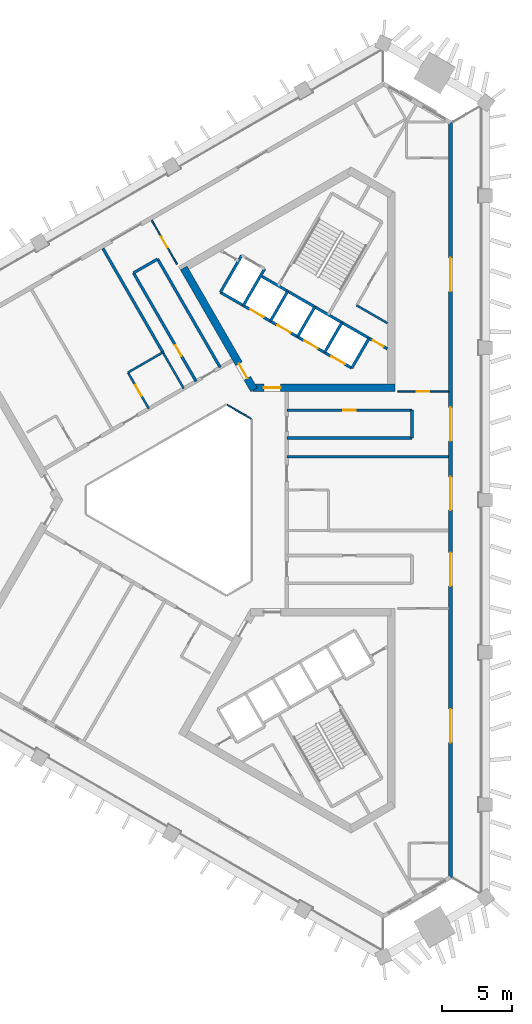
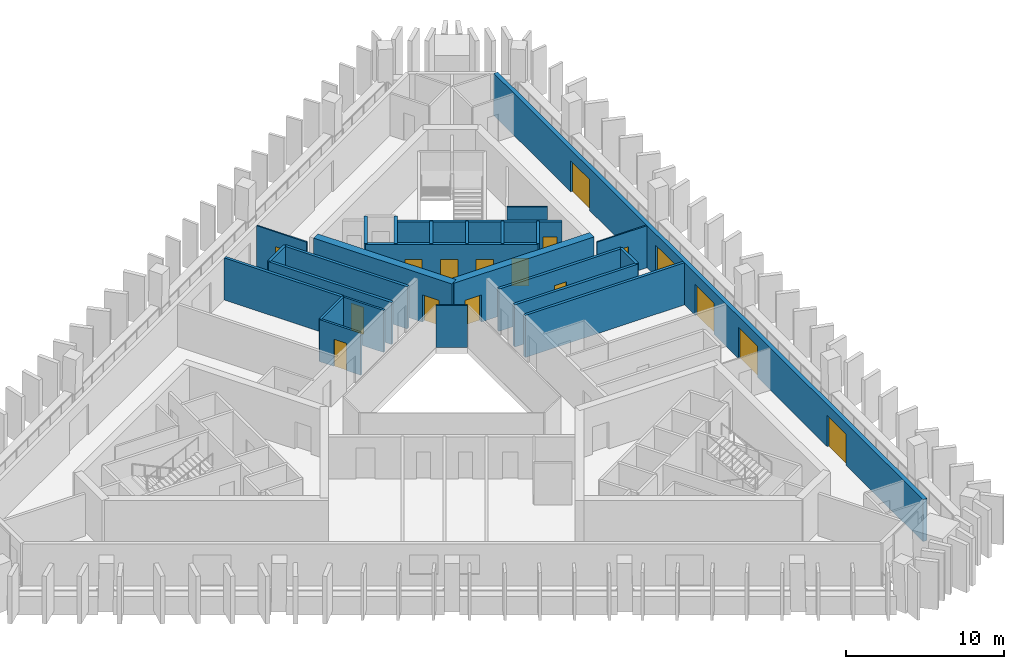
# One storey, part 5 of 10: 26 walls, 17 doors, 17 openings.
"""IFC4 building model written with IfcOpenShell, lengths in metres."""

import ifcopenshell
import ifcopenshell.guid

model = None  # the IFC model being written
_history = None  # IfcOwnerHistory: only IFC2X3 demands one
_inside = {}  # id of a spatial element -> (the spatial element, [elements in it])
_under = {}  # id of a project, library or spatial element -> (it, [spatial elements below it])
_declared = {}  # id of a project -> (the project, [libraries it declares])
_typed = {}  # id of a type object -> (the type object, [elements of that type])
_made_of = {}  # id of a material, layer set ... -> (it, [elements and type objects made of it])


def new_model(schema):
    """Start an empty IFC model of exactly this schema.

    Asked for "IFC4X3", IfcOpenShell would pick the latest addendum, in which some entities
    have other attributes; the version numbers below select the first issue.
    IFC2X3 requires an IfcOwnerHistory on every rooted entity: one is made here for all.
    """
    global model, _history
    if schema == "IFC4X3":
        model = ifcopenshell.file(schema_version=(4, 3, 0, 0))
    else:
        model = ifcopenshell.file(schema=schema)
    _inside.clear()
    _under.clear()
    _declared.clear()
    _typed.clear()
    _made_of.clear()
    _history = None
    if model.schema == "IFC2X3":
        org = make("IfcOrganization", Name="unknown")
        user = make(
            "IfcPersonAndOrganization",
            ThePerson=make("IfcPerson", FamilyName="unknown"),
            TheOrganization=org,
        )
        app = make(
            "IfcApplication",
            ApplicationDeveloper=org,
            Version="unknown",
            ApplicationFullName="unknown",
            ApplicationIdentifier="unknown",
        )
        _history = make(
            "IfcOwnerHistory",
            OwningUser=user,
            OwningApplication=app,
            ChangeAction="ADDED",
            CreationDate=0,
        )
    return model


def make(cls, **values):
    """One entity of the class cls with the attributes given. An attribute that is None is left unset."""
    return model.create_entity(
        cls, **{name: value for name, value in values.items() if value is not None}
    )


def rooted(cls, **values):
    """An entity with a GlobalId (a new one), such as an element, a storey or a relation."""
    return make(cls, GlobalId=ifcopenshell.guid.new(), OwnerHistory=_history, **values)


def si_unit(unit_type, name, prefix=None):
    """IfcSIUnit, for example si_unit("LENGTHUNIT", "METRE", prefix="MILLI")."""
    return make("IfcSIUnit", UnitType=unit_type, Prefix=prefix, Name=name)


def assignment(units):
    """IfcUnitAssignment: the units of a project."""
    return None if units is None else make("IfcUnitAssignment", Units=units)


def point(xyz):
    """IfcCartesianPoint."""
    return None if xyz is None else make("IfcCartesianPoint", Coordinates=xyz)


def direction(xyz):
    """IfcDirection."""
    return None if xyz is None else make("IfcDirection", DirectionRatios=xyz)


def frame(location, z_axis=None, x_axis=None):
    """IfcAxis2Placement3D, a coordinate frame: its origin and axes. An axis left out is left unset."""
    return make(
        "IfcAxis2Placement3D",
        Location=point(location),
        Axis=direction(z_axis),
        RefDirection=direction(x_axis),
    )


def frame_2d(location, x_axis=None):
    """IfcAxis2Placement2D, a coordinate frame in the plane: its origin and x axis."""
    return make(
        "IfcAxis2Placement2D", Location=point(location), RefDirection=direction(x_axis)
    )


def origin():
    """The frame at (0, 0, 0) with its axes left unset."""
    return frame((0.0, 0.0, 0.0))


def place(relative_to, where):
    """IfcLocalPlacement: puts the frame where relative to a parent placement (None: the world)."""
    return make(
        "IfcLocalPlacement", PlacementRelTo=relative_to, RelativePlacement=where
    )


def context(
    kind, dimensions, precision=None, world=None, true_north=None, identifier=None
):
    """IfcGeometricRepresentationContext, for example the 3D "Model" context."""
    return make(
        "IfcGeometricRepresentationContext",
        ContextIdentifier=identifier,
        ContextType=kind,
        CoordinateSpaceDimension=dimensions,
        Precision=precision,
        WorldCoordinateSystem=world,
        TrueNorth=true_north,
    )


def subcontext(parent, identifier, kind, view, scale=None):
    """IfcGeometricRepresentationSubContext, for example "Body" below "Model"."""
    return make(
        "IfcGeometricRepresentationSubContext",
        ContextIdentifier=identifier,
        ContextType=kind,
        ParentContext=parent,
        TargetScale=scale,
        TargetView=view,
    )


def project(units=None, contexts=None):
    """IfcProject with its units and contexts."""
    return rooted(
        "IfcProject",
        Name="project",
        RepresentationContexts=contexts,
        UnitsInContext=assignment(units),
    )


def spatial(cls, under=None, at=None, **own):
    """A site, building, storey or space (cls), placed at a placement, below another one or the project."""
    s = rooted(cls, ObjectPlacement=at, **own)
    if under is not None:
        _under.setdefault(under.id(), (under, []))[1].append(s)
    return s


def profile(cls, at=None, kind="AREA", **sizes):
    """A parametric profile (cls). Its sizes go by their IFC names, for example OverallWidth=200.0."""
    return make(cls, ProfileType=kind, Position=at, **sizes)


def rectangle(**sizes):
    """IfcRectangleProfileDef."""
    return profile("IfcRectangleProfileDef", **sizes)


def extrude(swept, where, along, depth):
    """IfcExtrudedAreaSolid: the profile swept, set in the frame where, extruded along a direction by depth."""
    return make(
        "IfcExtrudedAreaSolid",
        SweptArea=swept,
        Position=where,
        ExtrudedDirection=direction(along),
        Depth=depth,
    )


def shape(context_of_items, identifier, shape_type, items):
    """IfcShapeRepresentation: the items that make up one representation, for example the "Body"."""
    return make(
        "IfcShapeRepresentation",
        ContextOfItems=context_of_items,
        RepresentationIdentifier=identifier,
        RepresentationType=shape_type,
        Items=items,
    )


def material(Name=None, Category=None):
    """IfcMaterial."""
    return make("IfcMaterial", Name=Name, Category=Category)


def layer(
    of_material, thickness, ventilated=None, Name=None, Category=None, Priority=None
):
    """IfcMaterialLayer: one layer of a wall or slab, of a material (None: an air gap)."""
    return make(
        "IfcMaterialLayer",
        Material=of_material,
        LayerThickness=thickness,
        IsVentilated=ventilated,
        Name=Name,
        Category=Category,
        Priority=Priority,
    )


def layer_set(layers, Name=None):
    """IfcMaterialLayerSet."""
    return make("IfcMaterialLayerSet", MaterialLayers=layers, LayerSetName=Name)


def made_of(thing, what):
    """Note that an element or type object is made of a material, layer set ...; save() writes the relation."""
    if what is not None:
        _made_of.setdefault(what.id(), (what, []))[1].append(thing)
    return thing


def type_object(cls, material=None, **own):
    """A type object (cls), such as IfcWallType, which elements share."""
    return made_of(rooted(cls, **own), material)


def element(
    cls,
    number,
    at=None,
    inside=None,
    cuts=None,
    type_object=None,
    material=None,
    context=None,
    identifier="Body",
    shape_type=None,
    held_by="IfcProductDefinitionShape",
    body=None,
    shapes=None,
    **own,
):
    """One element of the class cls, such as IfcWall. Its Tag is "e" and its number.

    at: its placement. inside: the storey or other place that contains it. cuts: it is an
    opening in that element (IfcRelVoidsElement). A single representation is given by context,
    identifier, shape_type and body (its items); several are given by shapes. held_by: the class
    of the entity that holds the representations. save() writes the other relations.
    """
    e = rooted(cls, Tag="e%d" % number, ObjectPlacement=at, **own)
    if body is not None:
        shapes = [shape(context, identifier, shape_type, body)]
    if shapes is not None:
        e.Representation = make(held_by, Representations=shapes)
    if inside is not None:
        _inside.setdefault(inside.id(), (inside, []))[1].append(e)
    if cuts is not None:
        rooted(
            "IfcRelVoidsElement", RelatingBuildingElement=cuts, RelatedOpeningElement=e
        )
    if type_object is not None:
        _typed.setdefault(type_object.id(), (type_object, []))[1].append(e)
    return made_of(e, material)


def fill(opening, filler):
    """IfcRelFillsElement: the door or window that sits in an opening."""
    return rooted(
        "IfcRelFillsElement",
        RelatingOpeningElement=opening,
        RelatedBuildingElement=filler,
    )


def aggregate(whole, parts):
    """IfcRelAggregates: a whole, such as a stair, and the parts it consists of."""
    return rooted("IfcRelAggregates", RelatingObject=whole, RelatedObjects=parts)


def save(model, path):
    """Write the relations noted so far, then the file.

    IfcRelAggregates (storeys below a building ...), IfcRelContainedInSpatialStructure (elements
    in a storey), IfcRelDefinesByType, IfcRelAssociatesMaterial and IfcRelDeclares: one each for
    every whole, place, type object, material and project.
    """
    for whole, parts in _under.values():
        aggregate(whole, parts)
    for where, things in _inside.values():
        rooted(
            "IfcRelContainedInSpatialStructure",
            RelatedElements=things,
            RelatingStructure=where,
        )
    for kind, things in _typed.values():
        rooted("IfcRelDefinesByType", RelatedObjects=things, RelatingType=kind)
    for what, things in _made_of.values():
        rooted("IfcRelAssociatesMaterial", RelatedObjects=things, RelatingMaterial=what)
    for by, libraries in _declared.values():
        rooted("IfcRelDeclares", RelatingContext=by, RelatedDefinitions=libraries)
    model.write(path)


model = new_model("IFC4")

# Units and contexts
model_context = context("Model", 3, precision=1e-05, world=origin(), true_north=direction((0.0, 1.0)))
body_context = subcontext(model_context, "Body", "Model", "MODEL_VIEW")
ifc_project = project(units=[si_unit("LENGTHUNIT", "METRE"), si_unit("AREAUNIT", "SQUARE_METRE"), si_unit("VOLUMEUNIT", "CUBIC_METRE"), si_unit("PLANEANGLEUNIT", "RADIAN"), si_unit("MASSUNIT", "GRAM", prefix="KILO")], contexts=[model_context])

# Site, building, storey
site_placement = place(None, origin())
site = spatial("IfcSite", under=ifc_project, at=site_placement, CompositionType="ELEMENT")
building_placement = place(site_placement, origin())
building = spatial("IfcBuilding", under=site, at=building_placement, Name="Jabali Bay Hotel Tower and Convention Centre", CompositionType="ELEMENT")
storey_placement = place(building_placement, frame((0.0, 0.0, 160.0)))
storey = spatial("IfcBuildingStorey", under=building, at=storey_placement, Name="L38", CompositionType="ELEMENT", Elevation=160.0)

# Walls
ifc_material_1 = material(Name="Fire-resistant glazing", Category="glass")
ifc_layer_1 = layer(ifc_material_1, 0.10009765625)
ifc_layer_set_1 = layer_set([ifc_layer_1], Name="Fire-resistant glazing")
wall_type_1 = type_object("IfcWallType", Name="Atrium glazed screen 100", PredefinedType="PARTITIONING", material=ifc_layer_set_1)
wall_1_placement = place(storey_placement, frame((79.530029296875, 85.84619140625, 0.0), z_axis=(0.0, 0.0, 1.0), x_axis=(-0.866041268327, 0.499972520799, 0.0)))
element("IfcWall", 1, at=wall_1_placement, inside=storey, type_object=wall_type_1, Name="Atrium screen 2 L38", PredefinedType="PARTITIONING", context=body_context, shape_type="SweptSolid", body=[
    extrude(rectangle(XDim=2.0, YDim=0.10009765625, at=frame_2d((1.0, 0.0))), origin(), (0.0, 0.0, 1.0), 3.25),
])
ifc_material_2 = material(Name="Fire-rated board partition")
ifc_layer_2 = layer(ifc_material_2, 0.14990234375)
ifc_layer_set_2 = layer_set([ifc_layer_2], Name="Fire-rated board partition")
wall_type_2 = type_object("IfcWallType", Name="Core room partition 150", PredefinedType="PARTITIONING", material=ifc_layer_set_2)
wall_2_placement = place(storey_placement, frame((89.330078125, 92.718994140625, 0.0), z_axis=(0.0, 0.0, 1.0), x_axis=(-0.866019818373, 0.500009674092, 0.0)))
element("IfcWall", 2, at=wall_2_placement, inside=storey, type_object=wall_type_2, Name="Core wall 1.14 L38", PredefinedType="PARTITIONING", context=body_context, shape_type="SweptSolid", body=[
    extrude(rectangle(XDim=2.55078125, YDim=0.14990234375, at=frame_2d((1.275390625, 0.0))), origin(), (0.0, 0.0, 1.0), 3.25),
])
ifc_material_3 = material(Name="Concrete C40", Category="concrete")
ifc_layer_3 = layer(ifc_material_3, 0.199951171875)
ifc_layer_set_3 = layer_set([ifc_layer_3], Name="Concrete C40")
wall_type_3 = type_object("IfcWallType", Name="Core stair wall 200", PredefinedType="SOLIDWALL", material=ifc_layer_set_3)
for number, where, z_axis, x_axis, name in (
    (3, (86.769775390625, 89.48583984375, 0.0), (0.0, 0.0, 1.0), (0.499961042966, 0.86604789447, 0.0), "Core wall 1.0 L38"),
    (4, (84.8212890625, 90.61083984375, 0.0), (0.0, 0.0, 1.0), (0.499961042966, 0.86604789447, 0.0), "Core wall 1.2 L38"),
    (5, (82.872802734375, 91.73583984375, 0.0), (0.0, 0.0, 1.0), (0.499961042966, 0.86604789447, 0.0), "Core wall 1.4 L38"),
    (6, (80.924072265625, 92.86083984375, 0.0), (0.0, 0.0, 1.0), (0.499961042966, 0.86604789447, 0.0), "Core wall 1.6 L38"),
):
    element("IfcWall", number, at=place(storey_placement, frame(where, z_axis=z_axis, x_axis=x_axis)), inside=storey, type_object=wall_type_3, Name=name, PredefinedType="SOLIDWALL", context=body_context, shape_type="SweptSolid", body=[
        extrude(rectangle(XDim=2.480224609375, YDim=0.199951171875, at=frame_2d((1.240234375, 0.0))), origin(), (0.0, 0.0, 1.0), 3.25),
    ])
for number, where, z_axis, x_axis, name in (
    (7, (78.9755859375, 93.98583984375, 0.0), (0.0, 0.0, 1.0), (0.499944174705, 0.866057632134, 0.0), "Core wall 1.8 L38"),
    (8, (77.330078125, 94.93603515625, 0.0), (0.0, 0.0, 1.0), (0.500038867431, 0.8660029625, 0.0), "Core wall 1.9 L38"),
):
    element("IfcWall", number, at=place(storey_placement, frame(where, z_axis=z_axis, x_axis=x_axis)), inside=storey, type_object=wall_type_3, Name=name, PredefinedType="SOLIDWALL", context=body_context, shape_type="SweptSolid", body=[
        extrude(rectangle(XDim=3.050048828125, YDim=0.199951171875, at=frame_2d((1.52490234375, 0.0))), origin(), (0.0, 0.0, 1.0), 3.25),
    ])

# Wall, openings, doors
wall_3_placement = place(storey_placement, frame((86.769775390625, 89.48583984375, 0.0), z_axis=(0.0, 0.0, 1.0), x_axis=(-0.86601811187, 0.500012629753, 0.0)))
wall_3 = element("IfcWall", 9, at=wall_3_placement, inside=storey, type_object=wall_type_3, Name="Core wall 1.10 L38", PredefinedType="SOLIDWALL", context=body_context, shape_type="SweptSolid", body=[
    extrude(rectangle(XDim=10.900146484375, YDim=0.199951171875, at=frame_2d((5.4501953125, 0.0))), origin(), (0.0, 0.0, 1.0), 3.25),
])
opening_1_placement = place(wall_3_placement, frame((0.574951171875, 0.0, 0.0)))
opening_1 = element("IfcOpeningElement", 10, at=opening_1_placement, cuts=wall_3, Name="Opening LD6-L38", PredefinedType="OPENING", context=body_context, shape_type="SweptSolid", body=[
    extrude(rectangle(XDim=1.10009765625, YDim=2.10009765625, at=frame_2d((0.550048828125, 1.050048828125))), frame((0.0, 0.1103515625, 0.0), z_axis=(0.0, -1.0, 0.0), x_axis=(1.0, 0.0, 0.0)), (0.0, 0.0, 1.0), 0.220947265625),
])
opening_2_placement = place(wall_3_placement, frame((2.824951171875, 0.0, 0.0)))
opening_2 = element("IfcOpeningElement", 11, at=opening_2_placement, cuts=wall_3, Name="Opening LD7-L38", PredefinedType="OPENING", context=body_context, shape_type="SweptSolid", body=[
    extrude(rectangle(XDim=1.10009765625, YDim=2.10009765625, at=frame_2d((0.550048828125, 1.050048828125))), frame((0.0, 0.1103515625, 0.0), z_axis=(0.0, -1.0, 0.0), x_axis=(1.0, 0.0, 0.0)), (0.0, 0.0, 1.0), 0.220947265625),
])
opening_3_placement = place(wall_3_placement, frame((5.074951171875, 0.0, 0.0)))
opening_3 = element("IfcOpeningElement", 12, at=opening_3_placement, cuts=wall_3, Name="Opening LD8-L38", PredefinedType="OPENING", context=body_context, shape_type="SweptSolid", body=[
    extrude(rectangle(XDim=1.10009765625, YDim=2.10009765625, at=frame_2d((0.550048828125, 1.050048828125))), frame((0.0, 0.1103515625, 0.0), z_axis=(0.0, -1.0, 0.0), x_axis=(1.0, 0.0, 0.0)), (0.0, 0.0, 1.0), 0.220947265625),
])
opening_4_placement = place(wall_3_placement, frame((7.324951171875, 0.0, 0.0)))
opening_4 = element("IfcOpeningElement", 13, at=opening_4_placement, cuts=wall_3, Name="Opening LD9-L38", PredefinedType="OPENING", context=body_context, shape_type="SweptSolid", body=[
    extrude(rectangle(XDim=1.10009765625, YDim=2.10009765625, at=frame_2d((0.550048828125, 1.050048828125))), frame((0.0, 0.1103515625, 0.0), z_axis=(0.0, -1.0, 0.0), x_axis=(1.0, 0.0, 0.0)), (0.0, 0.0, 1.0), 0.220947265625),
])
ifc_material_4 = material(Name="Stainless steel landing door", Category="steel")
door_type_1 = type_object("IfcDoorType", Name="Landing door 1100 x 2100", OperationType="NOTDEFINED", PredefinedType="NOTDEFINED", material=ifc_material_4)
door_1_placement = place(opening_1_placement, origin())
door_1 = element("IfcDoor", 14, at=door_1_placement, inside=storey, type_object=door_type_1, Name="Landing doors LD6-L38", OperationType="SLIDING_TO_RIGHT", OverallHeight=2.10009765625, OverallWidth=1.10009765625, PredefinedType="NOTDEFINED", context=body_context, shape_type="SweptSolid", body=[
    extrude(rectangle(XDim=1.10009765625, YDim=2.10009765625, at=frame_2d((0.550048828125, 1.050048828125))), frame((0.0, 0.02490234375, 0.0), z_axis=(0.0, -1.0, 0.0), x_axis=(1.0, 0.0, 0.0)), (0.0, 0.0, 1.0), 0.050048828125),
])
fill(opening_1, door_1)
door_2_placement = place(opening_2_placement, origin())
door_2 = element("IfcDoor", 15, at=door_2_placement, inside=storey, type_object=door_type_1, Name="Landing doors LD7-L38", OperationType="SLIDING_TO_LEFT", OverallHeight=2.10009765625, OverallWidth=1.10009765625, PredefinedType="NOTDEFINED", context=body_context, shape_type="SweptSolid", body=[
    extrude(rectangle(XDim=1.10009765625, YDim=2.10009765625, at=frame_2d((0.550048828125, 1.050048828125))), frame((0.0, 0.02490234375, 0.0), z_axis=(0.0, -1.0, 0.0), x_axis=(1.0, 0.0, 0.0)), (0.0, 0.0, 1.0), 0.050048828125),
])
fill(opening_2, door_2)
door_3_placement = place(opening_3_placement, origin())
door_3 = element("IfcDoor", 16, at=door_3_placement, inside=storey, type_object=door_type_1, Name="Landing doors LD8-L38", OperationType="SLIDING_TO_RIGHT", OverallHeight=2.10009765625, OverallWidth=1.10009765625, PredefinedType="NOTDEFINED", context=body_context, shape_type="SweptSolid", body=[
    extrude(rectangle(XDim=1.10009765625, YDim=2.10009765625, at=frame_2d((0.550048828125, 1.050048828125))), frame((0.0, 0.02490234375, 0.0), z_axis=(0.0, -1.0, 0.0), x_axis=(1.0, 0.0, 0.0)), (0.0, 0.0, 1.0), 0.050048828125),
])
fill(opening_3, door_3)
door_4_placement = place(opening_4_placement, origin())
door_4 = element("IfcDoor", 17, at=door_4_placement, inside=storey, type_object=door_type_1, Name="Landing doors LD9-L38", OperationType="SLIDING_TO_LEFT", OverallHeight=2.10009765625, OverallWidth=1.10009765625, PredefinedType="NOTDEFINED", context=body_context, shape_type="SweptSolid", body=[
    extrude(rectangle(XDim=1.10009765625, YDim=2.10009765625, at=frame_2d((0.550048828125, 1.050048828125))), frame((0.0, 0.02490234375, 0.0), z_axis=(0.0, -1.0, 0.0), x_axis=(1.0, 0.0, 0.0)), (0.0, 0.0, 1.0), 0.050048828125),
])
fill(opening_4, door_4)

# Wall, opening, door
wall_4_placement = place(storey_placement, frame((89.330078125, 90.87158203125, 0.0), z_axis=(0.0, 0.0, 1.0), x_axis=(-0.866027589512, 0.49999621419, 0.0)))
wall_4 = element("IfcWall", 18, at=wall_4_placement, inside=storey, type_object=wall_type_3, Name="Core wall 1.11 L38", PredefinedType="SOLIDWALL", context=body_context, shape_type="SweptSolid", body=[
    extrude(rectangle(XDim=10.5244140625, YDim=0.199951171875, at=frame_2d((5.26220703125, 0.0))), origin(), (0.0, 0.0, 1.0), 3.25),
])
opening_5_placement = place(wall_4_placement, frame((0.312255859375, 0.0, 0.0)))
opening_5 = element("IfcOpeningElement", 19, at=opening_5_placement, cuts=wall_4, Name="Opening D836", PredefinedType="OPENING", context=body_context, shape_type="SweptSolid", body=[
    extrude(rectangle(XDim=0.89990234375, YDim=2.10009765625, at=frame_2d((0.449951171875, 1.050048828125))), frame((0.0, 0.1103515625, 0.0), z_axis=(0.0, -1.0, 0.0), x_axis=(1.0, 0.0, 0.0)), (0.0, 0.0, 1.0), 0.220947265625),
])
ifc_material_5 = material(Name="Fire-rated steel door", Category="steel")
door_type_2 = type_object("IfcDoorType", Name="Vestibule fire door 900 x 2100", OperationType="NOTDEFINED", PredefinedType="NOTDEFINED", material=ifc_material_5)
door_5_placement = place(opening_5_placement, origin())
door_5 = element("IfcDoor", 20, at=door_5_placement, inside=storey, type_object=door_type_2, Name="Vestibule fire door D836", OperationType="SINGLE_SWING_LEFT", OverallHeight=2.10009765625, OverallWidth=0.89990234375, PredefinedType="NOTDEFINED", context=body_context, shape_type="SweptSolid", body=[
    extrude(rectangle(XDim=0.89990234375, YDim=2.10009765625, at=frame_2d((0.449951171875, 1.050048828125))), frame((0.0, 0.02490234375, 0.0), z_axis=(0.0, -1.0, 0.0), x_axis=(1.0, 0.0, 0.0)), (0.0, 0.0, 1.0), 0.050048828125),
])
fill(opening_5, door_5)

ifc_material_6 = material(Name="Concrete C60", Category="concrete")
ifc_layer_4 = layer(ifc_material_6, 0.550048828125)
ifc_layer_set_4 = layer_set([ifc_layer_4], Name="Concrete C60")
wall_type_4 = type_object("IfcWallType", Name="Core wall 550", PredefinedType="SHEAR", material=ifc_layer_set_4)
wall_5_placement = place(storey_placement, frame((79.65869140625, 88.0693359375, 0.0), z_axis=(0.0, 0.0, 1.0), x_axis=(1.0, 0.0, 0.0)))
wall_5 = element("IfcWall", 21, at=wall_5_placement, inside=storey, type_object=wall_type_4, Name="Core wall 2.1 L38", PredefinedType="SHEAR", context=body_context, shape_type="SweptSolid", body=[
    extrude(rectangle(XDim=10.22119140625, YDim=0.550048828125, at=frame_2d((5.110595703125, 0.0))), origin(), (0.0, 0.0, 1.0), 3.699951171875),
])
opening_6_placement = place(wall_5_placement, frame((0.791259765625, 0.0, 0.0)))
opening_6 = element("IfcOpeningElement", 22, at=opening_6_placement, cuts=wall_5, Name="Opening D833", PredefinedType="OPENING", context=body_context, shape_type="SweptSolid", body=[
    extrude(rectangle(XDim=1.199951171875, YDim=2.10009765625, at=frame_2d((0.60009765625, 1.050048828125))), frame((0.0, 0.28564453125, 0.0), z_axis=(0.0, -1.0, 0.0), x_axis=(1.0, 0.0, 0.0)), (0.0, 0.0, 1.0), 0.571044921875),
])
door_type_3 = type_object("IfcDoorType", Name="Corridor end fire door 1200 x 2100", OperationType="NOTDEFINED", PredefinedType="NOTDEFINED", material=ifc_material_5)
door_6_placement = place(opening_6_placement, origin())
door_6 = element("IfcDoor", 23, at=door_6_placement, inside=storey, type_object=door_type_3, Name="Corridor end fire door D833", OperationType="SINGLE_SWING_RIGHT", OverallHeight=2.10009765625, OverallWidth=1.199951171875, PredefinedType="NOTDEFINED", context=body_context, shape_type="SweptSolid", body=[
    extrude(rectangle(XDim=1.199951171875, YDim=2.10009765625, at=frame_2d((0.60009765625, 1.050048828125))), frame((0.0, 0.02490234375, 0.0), z_axis=(0.0, -1.0, 0.0), x_axis=(1.0, 0.0, 0.0)), (0.0, 0.0, 1.0), 0.050048828125),
])
fill(opening_6, door_6)

wall_6_placement = place(storey_placement, frame((74.685546875, 96.682861328125, 0.0), z_axis=(0.0, 0.0, 1.0), x_axis=(0.499997818338, -0.866026663364, 0.0)))
wall_6 = element("IfcWall", 24, at=wall_6_placement, inside=storey, type_object=wall_type_4, Name="Core wall 2.5 L38", PredefinedType="SHEAR", context=body_context, shape_type="SweptSolid", body=[
    extrude(rectangle(XDim=10.10498046875, YDim=0.550048828125, at=frame_2d((5.052490234375, 0.0))), origin(), (0.0, 0.0, 1.0), 3.699951171875),
])
opening_7_placement = place(wall_6_placement, frame((7.955078125, 0.0, 0.0)))
opening_7 = element("IfcOpeningElement", 25, at=opening_7_placement, cuts=wall_6, Name="Opening D834", PredefinedType="OPENING", context=body_context, shape_type="SweptSolid", body=[
    extrude(rectangle(XDim=1.199951171875, YDim=2.10009765625, at=frame_2d((0.60009765625, 1.050048828125))), frame((0.0, 0.28564453125, 0.0), z_axis=(0.0, -1.0, 0.0), x_axis=(1.0, 0.0, 0.0)), (0.0, 0.0, 1.0), 0.571044921875),
])
door_7_placement = place(opening_7_placement, origin())
door_7 = element("IfcDoor", 26, at=door_7_placement, inside=storey, type_object=door_type_3, Name="Corridor end fire door D834", OperationType="SINGLE_SWING_LEFT", OverallHeight=2.10009765625, OverallWidth=1.199951171875, PredefinedType="NOTDEFINED", context=body_context, shape_type="SweptSolid", body=[
    extrude(rectangle(XDim=1.199951171875, YDim=2.10009765625, at=frame_2d((0.60009765625, 1.050048828125))), frame((0.0, 0.02490234375, 0.0), z_axis=(0.0, -1.0, 0.0), x_axis=(1.0, 0.0, 0.0)), (0.0, 0.0, 1.0), 0.050048828125),
])
fill(opening_7, door_7)

# Wall, openings, doors
ifc_layer_5 = layer(ifc_material_3, 0.300048828125)
ifc_layer_set_5 = layer_set([ifc_layer_5], Name="Concrete C40")
wall_type_5 = type_object("IfcWallType", Name="External wall 300", PredefinedType="SOLIDWALL", material=ifc_layer_set_5)
wall_7_placement = place(storey_placement, frame((93.87548828125, 107.1396484375, 0.0), z_axis=(0.0, 0.0, 1.0), x_axis=(0.0, -1.0, 0.0)))
wall_7 = element("IfcWall", 27, at=wall_7_placement, inside=storey, type_object=wall_type_5, Name="External wall east face L38", PredefinedType="SOLIDWALL", context=body_context, shape_type="SweptSolid", body=[
    extrude(rectangle(XDim=54.279296875, YDim=0.300048828125, at=frame_2d((27.1396484375, 0.0))), origin(), (0.0, 0.0, 1.0), 3.25),
])
opening_8_placement = place(wall_7_placement, frame((25.471923828125, 0.0, 0.0)))
opening_8 = element("IfcOpeningElement", 28, at=opening_8_placement, cuts=wall_7, Name="Opening SD1", PredefinedType="OPENING", context=body_context, shape_type="SweptSolid", body=[
    extrude(rectangle(XDim=2.39990234375, YDim=2.39990234375, at=frame_2d((1.199951171875, 1.199951171875))), frame((0.0, 0.16064453125, 0.0), z_axis=(0.0, -1.0, 0.0), x_axis=(1.0, 0.0, 0.0)), (0.0, 0.0, 1.0), 0.321044921875),
])
opening_9_placement = place(wall_7_placement, frame((30.927978515625, 0.0, 0.0)))
opening_9 = element("IfcOpeningElement", 29, at=opening_9_placement, cuts=wall_7, Name="Opening SD1", PredefinedType="OPENING", context=body_context, shape_type="SweptSolid", body=[
    extrude(rectangle(XDim=2.39990234375, YDim=2.39990234375, at=frame_2d((1.199951171875, 1.199951171875))), frame((0.0, 0.16064453125, 0.0), z_axis=(0.0, -1.0, 0.0), x_axis=(1.0, 0.0, 0.0)), (0.0, 0.0, 1.0), 0.321044921875),
])
opening_10_placement = place(wall_7_placement, frame((42.1748046875, 0.0, 0.0)))
opening_10 = element("IfcOpeningElement", 30, at=opening_10_placement, cuts=wall_7, Name="Opening SD1", PredefinedType="OPENING", context=body_context, shape_type="SweptSolid", body=[
    extrude(rectangle(XDim=2.39990234375, YDim=2.39990234375, at=frame_2d((1.199951171875, 1.199951171875))), frame((0.0, 0.16064453125, 0.0), z_axis=(0.0, -1.0, 0.0), x_axis=(1.0, 0.0, 0.0)), (0.0, 0.0, 1.0), 0.321044921875),
])
opening_11_placement = place(wall_7_placement, frame((20.483642578125, 0.0, 0.0)))
opening_11 = element("IfcOpeningElement", 31, at=opening_11_placement, cuts=wall_7, Name="Opening SD1", PredefinedType="OPENING", context=body_context, shape_type="SweptSolid", body=[
    extrude(rectangle(XDim=2.39990234375, YDim=2.39990234375, at=frame_2d((1.199951171875, 1.199951171875))), frame((0.0, 0.16064453125, 0.0), z_axis=(0.0, -1.0, 0.0), x_axis=(1.0, 0.0, 0.0)), (0.0, 0.0, 1.0), 0.321044921875),
])
opening_12_placement = place(wall_7_placement, frame((9.736572265625, 0.0, 0.0)))
opening_12 = element("IfcOpeningElement", 32, at=opening_12_placement, cuts=wall_7, Name="Opening SD1", PredefinedType="OPENING", context=body_context, shape_type="SweptSolid", body=[
    extrude(rectangle(XDim=2.39990234375, YDim=2.39990234375, at=frame_2d((1.199951171875, 1.199951171875))), frame((0.0, 0.16064453125, 0.0), z_axis=(0.0, -1.0, 0.0), x_axis=(1.0, 0.0, 0.0)), (0.0, 0.0, 1.0), 0.321044921875),
])
ifc_material_7 = material(Name="Glass", Category="glass")
door_type_4 = type_object("IfcDoorType", Name="Loggia sliding door 2400 x 2400", OperationType="NOTDEFINED", PredefinedType="NOTDEFINED", material=ifc_material_7)
door_8_placement = place(opening_8_placement, origin())
door_8 = element("IfcDoor", 33, at=door_8_placement, inside=storey, type_object=door_type_4, Name="Loggia sliding door 3803", OperationType="SLIDING_TO_LEFT", OverallHeight=2.39990234375, OverallWidth=2.39990234375, PredefinedType="NOTDEFINED", context=body_context, shape_type="SweptSolid", body=[
    extrude(rectangle(XDim=2.39990234375, YDim=2.39990234375, at=frame_2d((1.199951171875, 1.199951171875))), frame((0.0, 0.02490234375, 0.0), z_axis=(0.0, -1.0, 0.0), x_axis=(1.0, 0.0, 0.0)), (0.0, 0.0, 1.0), 0.050048828125),
])
fill(opening_8, door_8)
door_9_placement = place(opening_9_placement, origin())
door_9 = element("IfcDoor", 34, at=door_9_placement, inside=storey, type_object=door_type_4, Name="Loggia sliding door 3801", OperationType="SLIDING_TO_RIGHT", OverallHeight=2.39990234375, OverallWidth=2.39990234375, PredefinedType="NOTDEFINED", context=body_context, shape_type="SweptSolid", body=[
    extrude(rectangle(XDim=2.39990234375, YDim=2.39990234375, at=frame_2d((1.199951171875, 1.199951171875))), frame((0.0, 0.02490234375, 0.0), z_axis=(0.0, -1.0, 0.0), x_axis=(1.0, 0.0, 0.0)), (0.0, 0.0, 1.0), 0.050048828125),
])
fill(opening_9, door_9)
door_10_placement = place(opening_10_placement, origin())
door_10 = element("IfcDoor", 35, at=door_10_placement, inside=storey, type_object=door_type_4, Name="Loggia sliding door 3801", OperationType="SLIDING_TO_LEFT", OverallHeight=2.39990234375, OverallWidth=2.39990234375, PredefinedType="NOTDEFINED", context=body_context, shape_type="SweptSolid", body=[
    extrude(rectangle(XDim=2.39990234375, YDim=2.39990234375, at=frame_2d((1.199951171875, 1.199951171875))), frame((0.0, 0.02490234375, 0.0), z_axis=(0.0, -1.0, 0.0), x_axis=(1.0, 0.0, 0.0)), (0.0, 0.0, 1.0), 0.050048828125),
])
fill(opening_10, door_10)
door_11_placement = place(opening_11_placement, origin())
door_11 = element("IfcDoor", 36, at=door_11_placement, inside=storey, type_object=door_type_4, Name="Loggia sliding door 3804", OperationType="SLIDING_TO_RIGHT", OverallHeight=2.39990234375, OverallWidth=2.39990234375, PredefinedType="NOTDEFINED", context=body_context, shape_type="SweptSolid", body=[
    extrude(rectangle(XDim=2.39990234375, YDim=2.39990234375, at=frame_2d((1.199951171875, 1.199951171875))), frame((0.0, 0.02490234375, 0.0), z_axis=(0.0, -1.0, 0.0), x_axis=(1.0, 0.0, 0.0)), (0.0, 0.0, 1.0), 0.050048828125),
])
fill(opening_11, door_11)
door_12_placement = place(opening_12_placement, origin())
door_12 = element("IfcDoor", 37, at=door_12_placement, inside=storey, type_object=door_type_4, Name="Loggia sliding door 3804", OperationType="SLIDING_TO_LEFT", OverallHeight=2.39990234375, OverallWidth=2.39990234375, PredefinedType="NOTDEFINED", context=body_context, shape_type="SweptSolid", body=[
    extrude(rectangle(XDim=2.39990234375, YDim=2.39990234375, at=frame_2d((1.199951171875, 1.199951171875))), frame((0.0, 0.02490234375, 0.0), z_axis=(0.0, -1.0, 0.0), x_axis=(1.0, 0.0, 0.0)), (0.0, 0.0, 1.0), 0.050048828125),
])
fill(opening_12, door_12)

# Wall, opening, door
ifc_material_8 = material(Name="Plasterboard on steel stud", Category="steel")
ifc_layer_6 = layer(ifc_material_8, 0.10009765625)
ifc_layer_set_6 = layer_set([ifc_layer_6], Name="Plasterboard on steel stud")
wall_type_6 = type_object("IfcWallType", Name="Partition 100 unit", PredefinedType="PARTITIONING", material=ifc_layer_set_6)
wall_8_placement = place(storey_placement, frame((93.726318359375, 87.794189453125, 0.0), z_axis=(0.0, 0.0, 1.0), x_axis=(-1.0, 0.0, 0.0)))
wall_8 = element("IfcWall", 38, at=wall_8_placement, inside=storey, type_object=wall_type_6, Name="Partition P02 L38 014", PredefinedType="PARTITIONING", context=body_context, shape_type="SweptSolid", body=[
    extrude(rectangle(XDim=3.647216796875, YDim=0.10009765625, at=frame_2d((1.82373046875, 0.0))), origin(), (0.0, 0.0, 1.0), 3.25),
])
opening_13_placement = place(wall_8_placement, frame((1.3740234375, 0.0, 0.0)))
opening_13 = element("IfcOpeningElement", 39, at=opening_13_placement, cuts=wall_8, Name="Opening 3808", PredefinedType="OPENING", context=body_context, shape_type="SweptSolid", body=[
    extrude(rectangle(XDim=0.89990234375, YDim=2.10009765625, at=frame_2d((0.449951171875, 1.050048828125))), frame((0.0, 0.060546875, 0.0), z_axis=(0.0, -1.0, 0.0), x_axis=(1.0, 0.0, 0.0)), (0.0, 0.0, 1.0), 0.12109375),
])
ifc_material_9 = material(Name="Timber", Category="wood")
door_type_5 = type_object("IfcDoorType", Name="Internal door 900 x 2100", OperationType="NOTDEFINED", PredefinedType="NOTDEFINED", material=ifc_material_9)
door_13_placement = place(opening_13_placement, origin())
door_13 = element("IfcDoor", 40, at=door_13_placement, inside=storey, type_object=door_type_5, Name="Door 3808", OperationType="SINGLE_SWING_RIGHT", OverallHeight=2.10009765625, OverallWidth=0.89990234375, PredefinedType="NOTDEFINED", context=body_context, shape_type="SweptSolid", body=[
    extrude(rectangle(XDim=0.89990234375, YDim=2.10009765625, at=frame_2d((0.449951171875, 1.050048828125))), frame((0.0, 0.02490234375, 0.0), z_axis=(0.0, -1.0, 0.0), x_axis=(1.0, 0.0, 0.0)), (0.0, 0.0, 1.0), 0.050048828125),
])
fill(opening_13, door_13)

wall_9_placement = place(storey_placement, frame((74.21044921875, 96.955810546875, 0.0), z_axis=(0.0, 0.0, 1.0), x_axis=(-0.499983176524, 0.866035116605, 0.0)))
wall_9 = element("IfcWall", 41, at=wall_9_placement, inside=storey, type_object=wall_type_6, Name="Partition P02 L38 022", PredefinedType="PARTITIONING", context=body_context, shape_type="SweptSolid", body=[
    extrude(rectangle(XDim=3.647705078125, YDim=0.10009765625, at=frame_2d((1.82373046875, 0.0))), origin(), (0.0, 0.0, 1.0), 3.25),
])
opening_14_placement = place(wall_9_placement, frame((1.3740234375, 0.0, 0.0)))
opening_14 = element("IfcOpeningElement", 42, at=opening_14_placement, cuts=wall_9, Name="Opening 3812", PredefinedType="OPENING", context=body_context, shape_type="SweptSolid", body=[
    extrude(rectangle(XDim=0.89990234375, YDim=2.10009765625, at=frame_2d((0.449951171875, 1.050048828125))), frame((0.0, 0.060546875, 0.0), z_axis=(0.0, -1.0, 0.0), x_axis=(1.0, 0.0, 0.0)), (0.0, 0.0, 1.0), 0.12109375),
])
door_14_placement = place(opening_14_placement, origin())
door_14 = element("IfcDoor", 43, at=door_14_placement, inside=storey, type_object=door_type_5, Name="Door 3812", OperationType="SINGLE_SWING_RIGHT", OverallHeight=2.10009765625, OverallWidth=0.89990234375, PredefinedType="NOTDEFINED", context=body_context, shape_type="SweptSolid", body=[
    extrude(rectangle(XDim=0.89990234375, YDim=2.10009765625, at=frame_2d((0.449951171875, 1.050048828125))), frame((0.0, 0.02490234375, 0.0), z_axis=(0.0, -1.0, 0.0), x_axis=(1.0, 0.0, 0.0)), (0.0, 0.0, 1.0), 0.050048828125),
])
fill(opening_14, door_14)

# Wall
ifc_layer_7 = layer(ifc_material_8, 0.14990234375)
ifc_layer_set_7 = layer_set([ifc_layer_7], Name="Plasterboard on steel stud")
wall_type_7 = type_object("IfcWallType", Name="Partition 150 wet", PredefinedType="PARTITIONING", material=ifc_layer_set_7)
wall_10_placement = place(storey_placement, frame((73.18994140625, 90.617431640625, 0.0), z_axis=(0.0, 0.0, 1.0), x_axis=(0.499990139034, -0.866031096941, 0.0)))
element("IfcWall", 44, at=wall_10_placement, inside=storey, type_object=wall_type_7, Name="Partition P03 L38 027", PredefinedType="PARTITIONING", context=body_context, shape_type="SweptSolid", body=[
    extrude(rectangle(XDim=3.0, YDim=0.14990234375, at=frame_2d((1.5, 0.0))), origin(), (0.0, 0.0, 1.0), 3.25),
])

# Wall, opening, door
wall_11_placement = place(storey_placement, frame((72.178466796875, 86.5693359375, 0.0), z_axis=(0.0, 0.0, 1.0), x_axis=(-0.499990139034, 0.866031096941, 0.0)))
wall_11 = element("IfcWall", 45, at=wall_11_placement, inside=storey, type_object=wall_type_7, Name="Partition P03 L38 031", PredefinedType="PARTITIONING", context=body_context, shape_type="SweptSolid", body=[
    extrude(rectangle(XDim=3.0, YDim=0.14990234375, at=frame_2d((1.5, 0.0))), origin(), (0.0, 0.0, 1.0), 3.25),
])
opening_15_placement = place(wall_11_placement, frame((1.050048828125, 0.0, 0.0)))
opening_15 = element("IfcOpeningElement", 46, at=opening_15_placement, cuts=wall_11, Name="Opening 3815", PredefinedType="OPENING", context=body_context, shape_type="SweptSolid", body=[
    extrude(rectangle(XDim=0.89990234375, YDim=2.10009765625, at=frame_2d((0.449951171875, 1.050048828125))), frame((0.0, 0.08544921875, 0.0), z_axis=(0.0, -1.0, 0.0), x_axis=(1.0, 0.0, 0.0)), (0.0, 0.0, 1.0), 0.1708984375),
])
door_type_6 = type_object("IfcDoorType", Name="Accessible en-suite door 900 x 2100", OperationType="NOTDEFINED", PredefinedType="NOTDEFINED", material=ifc_material_9)
door_15_placement = place(opening_15_placement, origin())
door_15 = element("IfcDoor", 47, at=door_15_placement, inside=storey, type_object=door_type_6, Name="Door 3815", OperationType="SINGLE_SWING_LEFT", OverallHeight=2.10009765625, OverallWidth=0.89990234375, PredefinedType="NOTDEFINED", context=body_context, shape_type="SweptSolid", body=[
    extrude(rectangle(XDim=0.89990234375, YDim=2.10009765625, at=frame_2d((0.449951171875, 1.050048828125))), frame((0.0, 0.02490234375, 0.0), z_axis=(0.0, -1.0, 0.0), x_axis=(1.0, 0.0, 0.0)), (0.0, 0.0, 1.0), 0.050048828125),
])
fill(opening_15, door_15)

# Walls
wall_12_placement = place(storey_placement, frame((70.678466796875, 89.16748046875, 0.0), z_axis=(0.0, 0.0, 1.0), x_axis=(0.866032775405, 0.499987231761, 0.0)))
element("IfcWall", 48, at=wall_12_placement, inside=storey, type_object=wall_type_7, Name="Partition P03 L38 032", PredefinedType="PARTITIONING", context=body_context, shape_type="SweptSolid", body=[
    extrude(rectangle(XDim=2.89990234375, YDim=0.14990234375, at=frame_2d((1.449951171875, 0.0))), origin(), (0.0, 0.0, 1.0), 3.25),
])
ifc_layer_8 = layer(ifc_material_8, 0.199951171875)
ifc_layer_set_8 = layer_set([ifc_layer_8], Name="Plasterboard on steel stud")
wall_type_8 = type_object("IfcWallType", Name="Partition 200 party", PredefinedType="PARTITIONING", material=ifc_layer_set_8)
wall_13_placement = place(storey_placement, frame((93.726318359375, 83.11767578125, 0.0), z_axis=(0.0, 0.0, 1.0), x_axis=(-1.0, 0.0, 0.0)))
element("IfcWall", 49, at=wall_13_placement, inside=storey, type_object=wall_type_8, Name="Partition P01 L38 013", PredefinedType="PARTITIONING", context=body_context, shape_type="SweptSolid", body=[
    extrude(rectangle(XDim=11.626220703125, YDim=0.199951171875, at=frame_2d((5.81298828125, 0.0))), origin(), (0.0, 0.0, 1.0), 3.25),
])

# Wall, opening, door
wall_14_placement = place(storey_placement, frame((82.10009765625, 86.4560546875, 0.0), z_axis=(0.0, 0.0, 1.0), x_axis=(1.0, 0.0, 0.0)))
wall_14 = element("IfcWall", 50, at=wall_14_placement, inside=storey, type_object=wall_type_8, Name="Partition P01 L38 015", PredefinedType="PARTITIONING", context=body_context, shape_type="SweptSolid", body=[
    extrude(rectangle(XDim=9.0, YDim=0.199951171875, at=frame_2d((4.5, 0.0))), origin(), (0.0, 0.0, 1.0), 3.25),
])
opening_16_placement = place(wall_14_placement, frame((4.050048828125, 0.0, 0.0)))
opening_16 = element("IfcOpeningElement", 51, at=opening_16_placement, cuts=wall_14, Name="Opening 3810", PredefinedType="OPENING", context=body_context, shape_type="SweptSolid", body=[
    extrude(rectangle(XDim=0.89990234375, YDim=2.10009765625, at=frame_2d((0.449951171875, 1.050048828125))), frame((0.0, 0.1103515625, 0.0), z_axis=(0.0, -1.0, 0.0), x_axis=(1.0, 0.0, 0.0)), (0.0, 0.0, 1.0), 0.220947265625),
])
door_16_placement = place(opening_16_placement, origin())
door_16 = element("IfcDoor", 52, at=door_16_placement, inside=storey, type_object=door_type_5, Name="Door 3810", OperationType="SINGLE_SWING_RIGHT", OverallHeight=2.10009765625, OverallWidth=0.89990234375, PredefinedType="NOTDEFINED", context=body_context, shape_type="SweptSolid", body=[
    extrude(rectangle(XDim=0.89990234375, YDim=2.10009765625, at=frame_2d((0.449951171875, 1.050048828125))), frame((0.0, 0.02490234375, 0.0), z_axis=(0.0, -1.0, 0.0), x_axis=(1.0, 0.0, 0.0)), (0.0, 0.0, 1.0), 0.050048828125),
])
fill(opening_16, door_16)

# Walls
wall_15_placement = place(storey_placement, frame((91.10009765625, 86.4560546875, 0.0), z_axis=(0.0, 0.0, 1.0), x_axis=(0.0, -1.0, 0.0)))
element("IfcWall", 53, at=wall_15_placement, inside=storey, type_object=wall_type_8, Name="Partition P01 L38 016", PredefinedType="PARTITIONING", context=body_context, shape_type="SweptSolid", body=[
    extrude(rectangle(XDim=2.0, YDim=0.199951171875, at=frame_2d((1.0, 0.0))), origin(), (0.0, 0.0, 1.0), 3.25),
])
wall_16_placement = place(storey_placement, frame((91.10009765625, 84.4560546875, 0.0), z_axis=(0.0, 0.0, 1.0), x_axis=(-1.0, 0.0, 0.0)))
element("IfcWall", 54, at=wall_16_placement, inside=storey, type_object=wall_type_8, Name="Partition P01 L38 017", PredefinedType="PARTITIONING", context=body_context, shape_type="SweptSolid", body=[
    extrude(rectangle(XDim=9.0, YDim=0.199951171875, at=frame_2d((4.5, 0.0))), origin(), (0.0, 0.0, 1.0), 3.25),
])

# Wall, opening, door
wall_17_placement = place(storey_placement, frame((75.578857421875, 88.53271484375, 0.0), z_axis=(0.0, 0.0, 1.0), x_axis=(-0.5000018851, 0.866024315419, 0.0)))
wall_17 = element("IfcWall", 55, at=wall_17_placement, inside=storey, type_object=wall_type_8, Name="Partition P01 L38 023", PredefinedType="PARTITIONING", context=body_context, shape_type="SweptSolid", body=[
    extrude(rectangle(XDim=9.0, YDim=0.199951171875, at=frame_2d((4.5, 0.0))), origin(), (0.0, 0.0, 1.0), 3.25),
])
opening_17_placement = place(wall_17_placement, frame((2.10009765625, 0.0, 0.0)))
opening_17 = element("IfcOpeningElement", 56, at=opening_17_placement, cuts=wall_17, Name="Opening 3814", PredefinedType="OPENING", context=body_context, shape_type="SweptSolid", body=[
    extrude(rectangle(XDim=0.89990234375, YDim=2.10009765625, at=frame_2d((0.449951171875, 1.050048828125))), frame((0.0, 0.1103515625, 0.0), z_axis=(0.0, -1.0, 0.0), x_axis=(1.0, 0.0, 0.0)), (0.0, 0.0, 1.0), 0.220947265625),
])
door_17_placement = place(opening_17_placement, origin())
door_17 = element("IfcDoor", 57, at=door_17_placement, inside=storey, type_object=door_type_5, Name="Door 3814", OperationType="SINGLE_SWING_LEFT", OverallHeight=2.10009765625, OverallWidth=0.89990234375, PredefinedType="NOTDEFINED", context=body_context, shape_type="SweptSolid", body=[
    extrude(rectangle(XDim=0.89990234375, YDim=2.10009765625, at=frame_2d((0.449951171875, 1.050048828125))), frame((0.0, 0.02490234375, 0.0), z_axis=(0.0, -1.0, 0.0), x_axis=(1.0, 0.0, 0.0)), (0.0, 0.0, 1.0), 0.050048828125),
])
fill(opening_17, door_17)

# Walls
wall_18_placement = place(storey_placement, frame((71.078857421875, 96.326904296875, 0.0), z_axis=(0.0, 0.0, 1.0), x_axis=(0.866041268327, 0.499972520799, 0.0)))
element("IfcWall", 58, at=wall_18_placement, inside=storey, type_object=wall_type_8, Name="Partition P01 L38 024", PredefinedType="PARTITIONING", context=body_context, shape_type="SweptSolid", body=[
    extrude(rectangle(XDim=2.0, YDim=0.199951171875, at=frame_2d((1.0, 0.0))), origin(), (0.0, 0.0, 1.0), 3.25),
])
wall_19_placement = place(storey_placement, frame((72.81103515625, 97.326904296875, 0.0), z_axis=(0.0, 0.0, 1.0), x_axis=(0.5000018851, -0.866024315419, 0.0)))
element("IfcWall", 59, at=wall_19_placement, inside=storey, type_object=wall_type_8, Name="Partition P01 L38 025", PredefinedType="PARTITIONING", context=body_context, shape_type="SweptSolid", body=[
    extrude(rectangle(XDim=9.0, YDim=0.199951171875, at=frame_2d((4.5, 0.0))), origin(), (0.0, 0.0, 1.0), 3.25),
])
wall_20_placement = place(storey_placement, frame((68.876708984375, 98.088134765625, 0.0), z_axis=(0.0, 0.0, 1.0), x_axis=(0.500001735503, -0.866024401789, 0.0)))
element("IfcWall", 60, at=wall_20_placement, inside=storey, type_object=wall_type_8, Name="Partition P01 L38 026", PredefinedType="PARTITIONING", context=body_context, shape_type="SweptSolid", body=[
    extrude(rectangle(XDim=8.62646484375, YDim=0.199951171875, at=frame_2d((4.313232421875, 0.0))), origin(), (0.0, 0.0, 1.0), 3.25),
])

save(model, "model.ifc")
